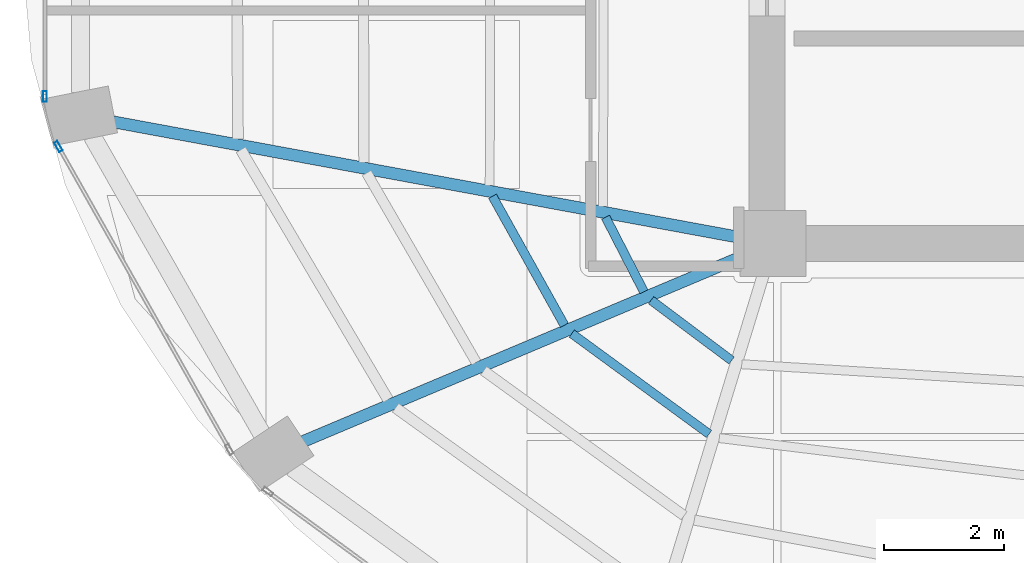
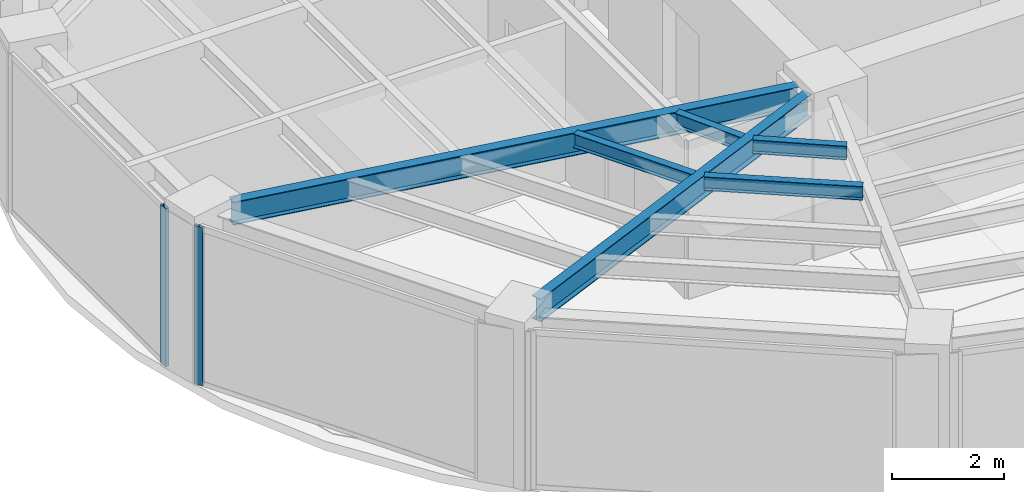
# One storey, part 4 of 23: 6 beams, 2 members, 2 elements without a shape of their own.
"""IFC4 building model written with IfcOpenShell, lengths in metres."""

from ifc_helpers import new_model, si_unit, direction, frame, origin, origin_2d, place, context, subcontext, project, spatial, hollow_rectangle, i_section, extrude, material, layer, layer_set, material_profile, profile_set, type_object, element, aggregate, save


model = new_model("IFC4")

# Units and contexts
model_context = context("Model", 3, precision=1e-05, world=origin(), true_north=direction((0.0, 1.0)))
body_context = subcontext(model_context, "Body", "Model", "MODEL_VIEW")
ifc_project = project(units=[si_unit("LENGTHUNIT", "METRE"), si_unit("AREAUNIT", "SQUARE_METRE"), si_unit("VOLUMEUNIT", "CUBIC_METRE"), si_unit("PLANEANGLEUNIT", "RADIAN"), si_unit("MASSUNIT", "GRAM", prefix="KILO")], contexts=[model_context])

# Site, building, storey
site_placement = place(None, origin())
site = spatial("IfcSite", under=ifc_project, at=site_placement, CompositionType="ELEMENT")
building_placement = place(site_placement, origin())
building = spatial("IfcBuilding", under=site, at=building_placement, Name="Lazwardi Medical Tower", CompositionType="ELEMENT")
storey_placement = place(building_placement, frame((0.0, 0.0, 202.1279296875)))
storey = spatial("IfcBuildingStorey", under=building, at=storey_placement, Name="L52", CompositionType="ELEMENT", Elevation=202.1279296875)

# Beams
ifc_material_1 = material(Name="Steel S355", Category="steel")
ifc_material_profile_1 = material_profile(ifc_material_1, i_section(OverallWidth=0.199951171875, OverallDepth=0.5, WebThickness=0.01025390625, FlangeThickness=0.01611328125, at=origin_2d()), Name="IPE 500")
ifc_profile_set_1 = profile_set([ifc_material_profile_1], Name="Steel S355")
beam_type_1 = type_object("IfcBeamType", Name="BM-RG-W3", PredefinedType="BEAM", material=ifc_profile_set_1)
beam_1_placement = place(storey_placement, frame((15.341064453125, 22.43994140625, 3.197998046875), z_axis=(0.983409341459, -0.181400295288, 0.0), x_axis=(0.181400295288, 0.983409341459, 0.0)))
element("IfcBeam", 1, at=beam_1_placement, inside=storey, type_object=beam_type_1, Name="Radial girder RG-04 R13 L52", PredefinedType="BEAM", context=body_context, shape_type="SweptSolid", body=[
    extrude(i_section(OverallWidth=0.199951171875, OverallDepth=0.5, WebThickness=0.01025390625, FlangeThickness=0.01611328125, at=origin_2d()), origin(), (0.0, 0.0, 1.0), 10.71044921875),
])
beam_2_placement = place(storey_placement, frame((18.533203125, 17.085205078125, 3.197998046875), z_axis=(0.921526791352, 0.388314785735, 0.0), x_axis=(-0.388314785735, 0.921526791352, 0.0)))
element("IfcBeam", 2, at=beam_2_placement, inside=storey, type_object=beam_type_1, Name="Radial girder RG-04 R14 L52", PredefinedType="BEAM", context=body_context, shape_type="SweptSolid", body=[
    extrude(i_section(OverallWidth=0.199951171875, OverallDepth=0.5, WebThickness=0.01025390625, FlangeThickness=0.01611328125, at=origin_2d()), origin(), (0.0, 0.0, 1.0), 8.001708984375),
])
ifc_material_profile_2 = material_profile(ifc_material_1, i_section(OverallWidth=0.14990234375, OverallDepth=0.300048828125, WebThickness=0.007080078125, FlangeThickness=0.0107421875, at=origin_2d()), Name="IPE 300")
ifc_profile_set_2 = profile_set([ifc_material_profile_2], Name="Steel S355")
beam_type_2 = type_object("IfcBeamType", Name="BM-SJ-03", PredefinedType="JOIST", material=ifc_profile_set_2)
beam_3_placement = place(storey_placement, frame((21.70703125, 21.19140625, 3.298095703125), z_axis=(0.487092942089, -0.873350139272, 0.0), x_axis=(0.873350139272, 0.487092942089, 0.0)))
element("IfcBeam", 3, at=beam_3_placement, inside=storey, type_object=beam_type_2, Name="Secondary joist SJ-03 R3 B13 L52", PredefinedType="JOIST", context=body_context, shape_type="SweptSolid", body=[
    extrude(i_section(OverallWidth=0.14990234375, OverallDepth=0.300048828125, WebThickness=0.007080078125, FlangeThickness=0.0107421875, at=origin_2d()), origin(), (0.0, 0.0, 1.0), 2.471923828125),
])
beam_4_placement = place(storey_placement, frame((23.0341796875, 18.893310546875, 3.298095703125), z_axis=(0.80703431267, -0.59050454543, 0.0), x_axis=(0.59050454543, 0.80703431267, 0.0)))
element("IfcBeam", 4, at=beam_4_placement, inside=storey, type_object=beam_type_2, Name="Secondary joist SJ-03 R3 B14 L52", PredefinedType="JOIST", context=body_context, shape_type="SweptSolid", body=[
    extrude(i_section(OverallWidth=0.14990234375, OverallDepth=0.300048828125, WebThickness=0.007080078125, FlangeThickness=0.0107421875, at=origin_2d()), origin(), (0.0, 0.0, 1.0), 2.846923828125),
])
beam_5_placement = place(storey_placement, frame((23.60009765625, 20.840087890625, 3.298095703125), z_axis=(0.457285056668, -0.889320176848, 0.0), x_axis=(0.889320176848, 0.457285056668, 0.0)))
element("IfcBeam", 5, at=beam_5_placement, inside=storey, type_object=beam_type_2, Name="Secondary joist SJ-03 R4 B13 L52", PredefinedType="JOIST", context=body_context, shape_type="SweptSolid", body=[
    extrude(i_section(OverallWidth=0.14990234375, OverallDepth=0.300048828125, WebThickness=0.007080078125, FlangeThickness=0.0107421875, at=origin_2d()), origin(), (0.0, 0.0, 1.0), 1.402099609375),
])
beam_6_placement = place(storey_placement, frame((24.36083984375, 19.451904296875, 3.298095703125), z_axis=(0.800365301971, -0.599512621553, 0.0), x_axis=(0.599512621553, 0.800365301971, 0.0)))
element("IfcBeam", 6, at=beam_6_placement, inside=storey, type_object=beam_type_2, Name="Secondary joist SJ-03 R4 B14 L52", PredefinedType="JOIST", context=body_context, shape_type="SweptSolid", body=[
    extrude(i_section(OverallWidth=0.14990234375, OverallDepth=0.300048828125, WebThickness=0.007080078125, FlangeThickness=0.0107421875, at=origin_2d()), origin(), (0.0, 0.0, 1.0), 1.68359375),
])

# Curtain wall, member
ifc_material_2 = material(Name="Anodised bronze aluminium and solar control glazing", Category="aluminium")
ifc_layer = layer(ifc_material_2, 0.18994140625)
ifc_layer_set = layer_set([ifc_layer], Name="Anodised bronze aluminium and solar control glazing")
curtain_wall_type = type_object("IfcCurtainWallType", Name="CW-SYS-04", PredefinedType="NOTDEFINED", material=ifc_layer_set)
curtain_wall_1_placement = place(storey_placement, origin())
curtain_wall_1 = element("IfcCurtainWall", 7, at=curtain_wall_1_placement, inside=storey, type_object=curtain_wall_type, Name="L52 Unitised bronze curtain wall CW-04", PredefinedType="NOTDEFINED")
ifc_material_3 = material(Name="Anodised bronze aluminium", Category="aluminium")
ifc_material_profile_3 = material_profile(ifc_material_3, hollow_rectangle(XDim=0.06494140625, YDim=0.179931640625, WallThickness=0.00390625, at=origin_2d()), Name="ALU-MULLION 180x65x4")
ifc_profile_set_3 = profile_set([ifc_material_profile_3], Name="Anodised bronze aluminium")
member_type = type_object("IfcMemberType", Name="CW-MUL-03", PredefinedType="MULLION", material=ifc_profile_set_3)
member_1_placement = place(storey_placement, frame((14.2158203125, 22.859619140625, 0.0), z_axis=(0.0, 0.0, 1.0), x_axis=(1.0, 0.0, 0.0)))
member_1 = element("IfcMember", 8, at=member_1_placement, type_object=member_type, Name="CW-04 mullion 2", PredefinedType="MULLION", context=body_context, shape_type="SweptSolid", body=[
    extrude(hollow_rectangle(XDim=0.06494140625, YDim=0.179931640625, WallThickness=0.00390625, at=origin_2d()), origin(), (0.0, 0.0, 1.0), 3.447998046875),
])
aggregate(curtain_wall_1, [member_1])

curtain_wall_2_placement = place(storey_placement, origin())
curtain_wall_2 = element("IfcCurtainWall", 9, at=curtain_wall_2_placement, inside=storey, type_object=curtain_wall_type, Name="L52 Unitised bronze curtain wall CW-04", PredefinedType="NOTDEFINED")
member_2_placement = place(storey_placement, frame((14.442626953125, 22.021728515625, 0.0), z_axis=(0.0, 0.0, 1.0), x_axis=(0.870651436011, 0.491900474661, 0.0)))
member_2 = element("IfcMember", 10, at=member_2_placement, type_object=member_type, Name="CW-04 mullion 1", PredefinedType="MULLION", context=body_context, shape_type="SweptSolid", body=[
    extrude(hollow_rectangle(XDim=0.06494140625, YDim=0.179931640625, WallThickness=0.00390625, at=origin_2d()), origin(), (0.0, 0.0, 1.0), 3.447998046875),
])
aggregate(curtain_wall_2, [member_2])

save(model, "model.ifc")
